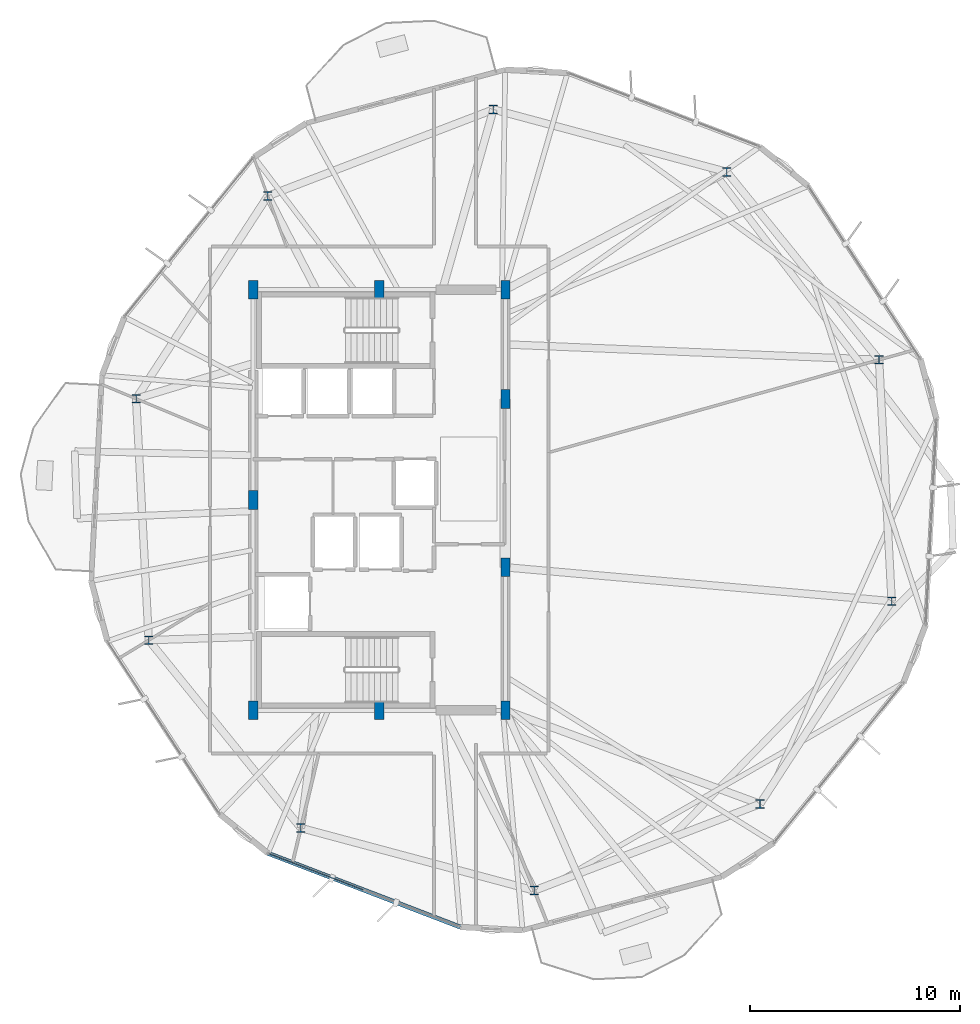
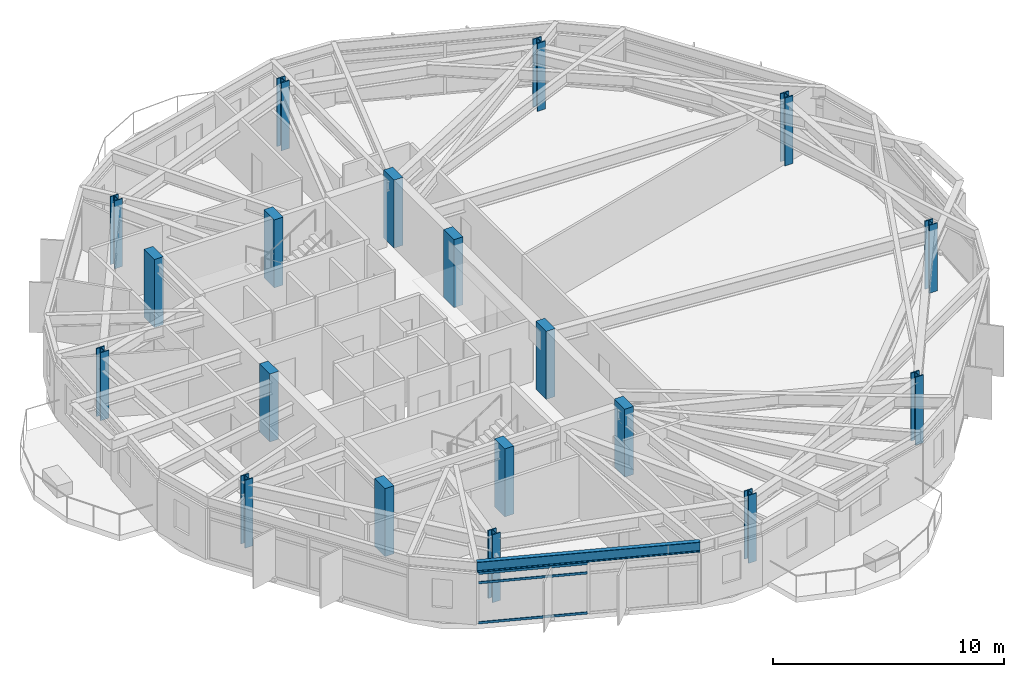
# One storey, part 1 of 29: 19 columns, 3 members, 1 beam, 1 element without a shape of its own.
"""IFC4 building model written with IfcOpenShell, lengths in metres."""

from ifc_helpers import new_model, si_unit, direction, frame, origin, origin_2d, place, context, subcontext, project, spatial, rectangle, hollow_rectangle, i_section, extrude, material, layer, layer_set, material_profile, profile_set, type_object, element, aggregate, save


model = new_model("IFC4")

# Units and contexts
model_context = context("Model", 3, precision=1e-05, world=origin(), true_north=direction((0.0, 1.0)))
body_context = subcontext(model_context, "Body", "Model", "MODEL_VIEW")
ifc_project = project(units=[si_unit("LENGTHUNIT", "METRE"), si_unit("AREAUNIT", "SQUARE_METRE"), si_unit("VOLUMEUNIT", "CUBIC_METRE"), si_unit("PLANEANGLEUNIT", "RADIAN"), si_unit("MASSUNIT", "GRAM", prefix="KILO")], contexts=[model_context])

# Site, building, storey
site_placement = place(None, origin())
site = spatial("IfcSite", under=ifc_project, at=site_placement, CompositionType="ELEMENT")
building_placement = place(site_placement, origin())
building = spatial("IfcBuilding", under=site, at=building_placement, Name="Soratama Intermodal Tower", CompositionType="ELEMENT")
storey_placement = place(building_placement, frame((0.0, 0.0, 219.39990234375)))
storey = spatial("IfcBuildingStorey", under=building, at=storey_placement, Name="L55", CompositionType="ELEMENT", Elevation=219.39990234375)

# Columns
ifc_material_1 = material(Name="Structural steel ASTM A992 Grade 50", Category="steel")
ifc_material_profile_1 = material_profile(ifc_material_1, i_section(OverallWidth=0.406005859375, OverallDepth=0.416015625, WebThickness=0.02978515625, FlangeThickness=0.048095703125, FilletRadius=0.0380859375, at=origin_2d()), Name="W14X257")
ifc_profile_set_1 = profile_set([ifc_material_profile_1], Name="Structural steel ASTM A992 Grade 50")
column_type_1 = type_object("IfcColumnType", Name="COL-ZD-W14X257", PredefinedType="COLUMN", material=ifc_profile_set_1)
for number, where, z_axis, x_axis, name in (
    (1, (62.364501953125, 31.66552734375, 0.0), (0.0, 0.0, 1.0), (1.0, 0.0, 0.0), "L55 Tower Ring Column R01"),
    (2, (55.13037109375, 40.599365234375, 0.0), (0.0, 0.0, 1.0), (1.0, 0.0, 0.0), "L55 Tower Ring Column R02"),
    (3, (44.026611328125, 43.574462890625, 0.0), (0.0, 0.0, 1.0), (1.0, 0.0, 0.0), "L55 Tower Ring Column R03"),
    (4, (33.294677734375, 39.454833984375, 0.0), (0.0, 0.0, 1.0), (1.0, 0.0, 0.0), "L55 Tower Ring Column R04"),
    (5, (27.03369140625, 29.81396484375, 0.0), (0.0, 0.0, 1.0), (1.0, 0.0, 0.0), "L55 Tower Ring Column R05"),
    (6, (27.635498046875, 18.33447265625, 0.0), (0.0, 0.0, 1.0), (1.0, 0.0, 0.0), "L55 Tower Ring Column R06"),
    (7, (34.86962890625, 9.400634765625, 0.0), (0.0, 0.0, 1.0), (1.0, 0.0, 0.0), "L55 Tower Ring Column R07"),
    (8, (45.973388671875, 6.425537109375, 0.0), (0.0, 0.0, 1.0), (1.0, 0.0, 0.0), "L55 Tower Ring Column R08"),
    (9, (56.705322265625, 10.545166015625, 0.0), (0.0, 0.0, 1.0), (1.0, 0.0, 0.0), "L55 Tower Ring Column R09"),
    (10, (62.96630859375, 20.18603515625, 0.0), (0.0, 0.0, 1.0), (1.0, 0.0, 0.0), "L55 Tower Ring Column R10"),
):
    element("IfcColumn", number, at=place(storey_placement, frame(where, z_axis=z_axis, x_axis=x_axis)), inside=storey, type_object=column_type_1, Name=name, PredefinedType="COLUMN", context=body_context, shape_type="SweptSolid", body=[
        extrude(i_section(OverallWidth=0.406005859375, OverallDepth=0.416015625, WebThickness=0.02978515625, FlangeThickness=0.048095703125, FilletRadius=0.0380859375, at=origin_2d()), origin(), (0.0, 0.0, 1.0), 3.60009765625),
    ])
ifc_material_2 = material(Name="Concrete f'c 56 MPa", Category="concrete")
ifc_material_profile_2 = material_profile(ifc_material_2, rectangle(XDim=0.449951171875, YDim=0.89990234375, at=origin_2d()), Name="RC450X900")
ifc_profile_set_2 = profile_set([ifc_material_profile_2], Name="Concrete f'c 56 MPa")
column_type_2 = type_object("IfcColumnType", Name="PIL-CORE-450X900", PredefinedType="PILASTER", material=ifc_profile_set_2)
for number, where, z_axis, x_axis, name in (
    (11, (32.60009765625, 15.0, 0.0), (0.0, 0.0, 1.0), (1.0, 0.0, 0.0), "L55 Core Pilaster 1"),
    (12, (32.60009765625, 25.0, 0.0), (0.0, 0.0, 1.0), (1.0, 0.0, 0.0), "L55 Core Pilaster 2"),
    (13, (32.60009765625, 35.0, 0.0), (0.0, 0.0, 1.0), (1.0, 0.0, 0.0), "L55 Core Pilaster 3"),
    (14, (38.60009765625, 15.0, 0.0), (0.0, 0.0, 1.0), (1.0, 0.0, 0.0), "L55 Core Pilaster 4"),
    (15, (38.60009765625, 35.0, 0.0), (0.0, 0.0, 1.0), (1.0, 0.0, 0.0), "L55 Core Pilaster 5"),
    (16, (44.60009765625, 15.0, 0.0), (0.0, 0.0, 1.0), (1.0, 0.0, 0.0), "L55 Core Pilaster 6"),
    (17, (44.60009765625, 21.800048828125, 0.0), (0.0, 0.0, 1.0), (1.0, 0.0, 0.0), "L55 Core Pilaster 7"),
    (18, (44.60009765625, 29.800048828125, 0.0), (0.0, 0.0, 1.0), (1.0, 0.0, 0.0), "L55 Core Pilaster 8"),
    (19, (44.60009765625, 35.0, 0.0), (0.0, 0.0, 1.0), (1.0, 0.0, 0.0), "L55 Core Pilaster 9"),
):
    element("IfcColumn", number, at=place(storey_placement, frame(where, z_axis=z_axis, x_axis=x_axis)), inside=storey, type_object=column_type_2, Name=name, PredefinedType="PILASTER", context=body_context, shape_type="SweptSolid", body=[
        extrude(rectangle(XDim=0.449951171875, YDim=0.89990234375, at=origin_2d()), origin(), (0.0, 0.0, 1.0), 3.60009765625),
    ])

# Beam
ifc_material_3 = material(Name="Structural steel ASTM A992 Grade 50", Category="steel")
ifc_material_profile_3 = material_profile(ifc_material_3, i_section(OverallWidth=0.2099609375, OverallDepth=0.537109375, WebThickness=0.010986328125, FlangeThickness=0.017333984375, FilletRadius=0.012939453125, at=origin_2d()), Name="W21X68")
ifc_profile_set_3 = profile_set([ifc_material_profile_3], Name="Structural steel ASTM A992 Grade 50")
beam_type = type_object("IfcBeamType", Name="BM-SPN-W21X68", PredefinedType="SPANDREL", material=ifc_profile_set_3)
beam_placement = place(storey_placement, frame((33.302978515625, 8.198974609375, 3.031494140625), z_axis=(0.933587512054, -0.358349490494, 0.0), x_axis=(0.358349490494, 0.933587512054, 0.0)))
element("IfcBeam", 20, at=beam_placement, inside=storey, type_object=beam_type, Name="BS-L55-F06", PredefinedType="SPANDREL", context=body_context, shape_type="SweptSolid", body=[
    extrude(i_section(OverallWidth=0.2099609375, OverallDepth=0.537109375, WebThickness=0.010986328125, FlangeThickness=0.017333984375, FilletRadius=0.012939453125, at=origin_2d()), origin(), (0.0, 0.0, 1.0), 9.797607421875),
])

# Curtain wall, members
ifc_material_4 = material(Name="Double-glazed aluminium curtain wall", Category="aluminium")
ifc_layer = layer(ifc_material_4, 0.159912109375)
ifc_layer_set = layer_set([ifc_layer], Name="Double-glazed aluminium curtain wall")
curtain_wall_type = type_object("IfcCurtainWallType", Name="CW-SYS-5", PredefinedType="NOTDEFINED", material=ifc_layer_set)
curtain_wall_placement = place(storey_placement, origin())
curtain_wall = element("IfcCurtainWall", 21, at=curtain_wall_placement, inside=storey, type_object=curtain_wall_type, Name="L55 Faceted Curtain Wall F06", PredefinedType="NOTDEFINED")
ifc_material_5 = material(Name="Anodised aluminium AA 6063-T6", Category="aluminium")
ifc_material_profile_4 = material_profile(ifc_material_5, hollow_rectangle(XDim=0.06005859375, YDim=0.1298828125, WallThickness=0.0048828125, InnerFilletRadius=0.0048828125, OuterFilletRadius=0.010009765625, at=origin_2d()), Name="CWT130X60X5")
ifc_profile_set_4 = profile_set([ifc_material_profile_4], Name="Anodised aluminium AA 6063-T6")
member_type = type_object("IfcMemberType", Name="TT-CWT-2", PredefinedType="USERDEFINED", material=ifc_profile_set_4)
member_1_placement = place(storey_placement, frame((33.359130859375, 8.17724609375, 0.030029296875), z_axis=(0.933578315891, -0.358373447815, 0.0), x_axis=(0.358373447815, 0.933578315891, 0.0)))
member_1 = element("IfcMember", 22, at=member_1_placement, type_object=member_type, Name="CW-5 transom 1.1", ObjectType="TRANSOM", PredefinedType="USERDEFINED", context=body_context, shape_type="SweptSolid", body=[
    extrude(hollow_rectangle(XDim=0.06005859375, YDim=0.1298828125, WallThickness=0.0048828125, InnerFilletRadius=0.0048828125, OuterFilletRadius=0.010009765625, at=origin_2d()), origin(), (0.0, 0.0, 1.0), 4.808837890625),
])
member_2_placement = place(storey_placement, frame((33.359130859375, 8.17724609375, 2.150146484375), z_axis=(0.933578315891, -0.358373447815, 0.0), x_axis=(0.358373447815, 0.933578315891, 0.0)))
member_2 = element("IfcMember", 23, at=member_2_placement, type_object=member_type, Name="CW-5 transom 1.2", ObjectType="TRANSOM", PredefinedType="USERDEFINED", context=body_context, shape_type="SweptSolid", body=[
    extrude(hollow_rectangle(XDim=0.06005859375, YDim=0.1298828125, WallThickness=0.0048828125, InnerFilletRadius=0.0048828125, OuterFilletRadius=0.010009765625, at=origin_2d()), origin(), (0.0, 0.0, 1.0), 4.808837890625),
])
member_3_placement = place(storey_placement, frame((33.359130859375, 8.17724609375, 2.649169921875), z_axis=(0.933578315891, -0.358373447815, 0.0), x_axis=(0.358373447815, 0.933578315891, 0.0)))
member_3 = element("IfcMember", 24, at=member_3_placement, type_object=member_type, Name="CW-5 transom 1.3", ObjectType="TRANSOM", PredefinedType="USERDEFINED", context=body_context, shape_type="SweptSolid", body=[
    extrude(hollow_rectangle(XDim=0.06005859375, YDim=0.1298828125, WallThickness=0.0048828125, InnerFilletRadius=0.0048828125, OuterFilletRadius=0.010009765625, at=origin_2d()), origin(), (0.0, 0.0, 1.0), 4.808837890625),
])
aggregate(curtain_wall, [member_1, member_2, member_3])

save(model, "model.ifc")
